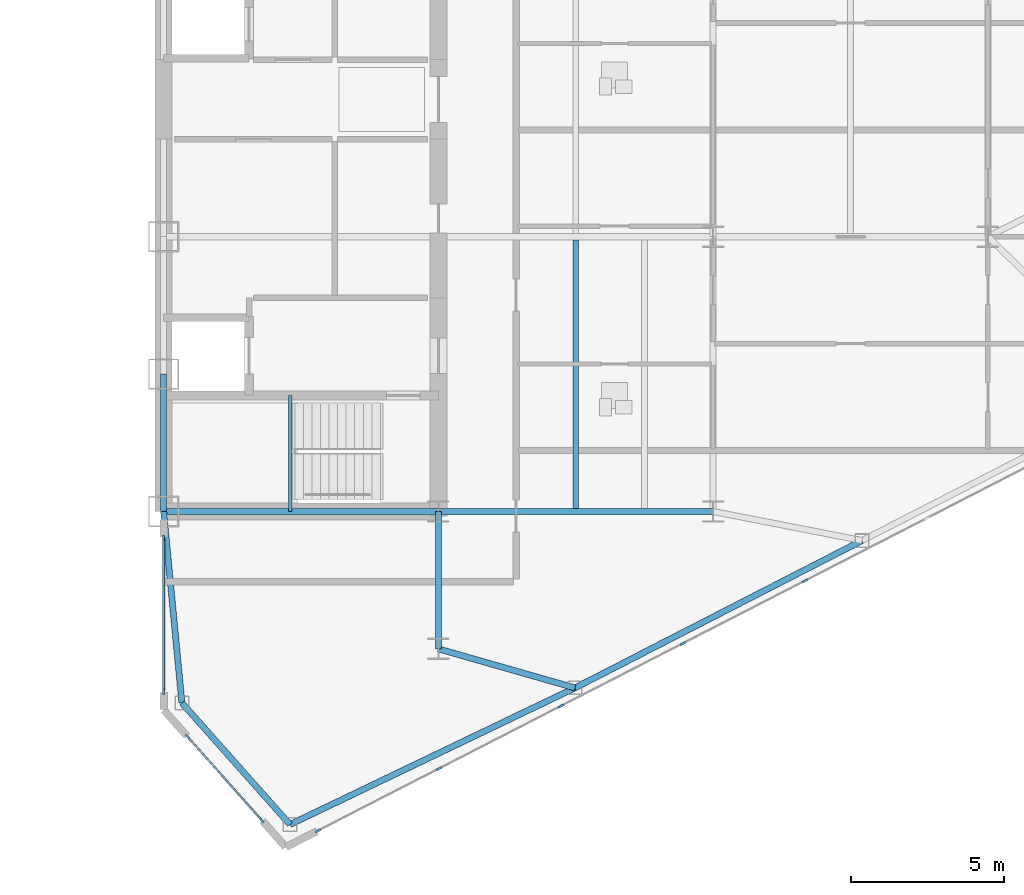
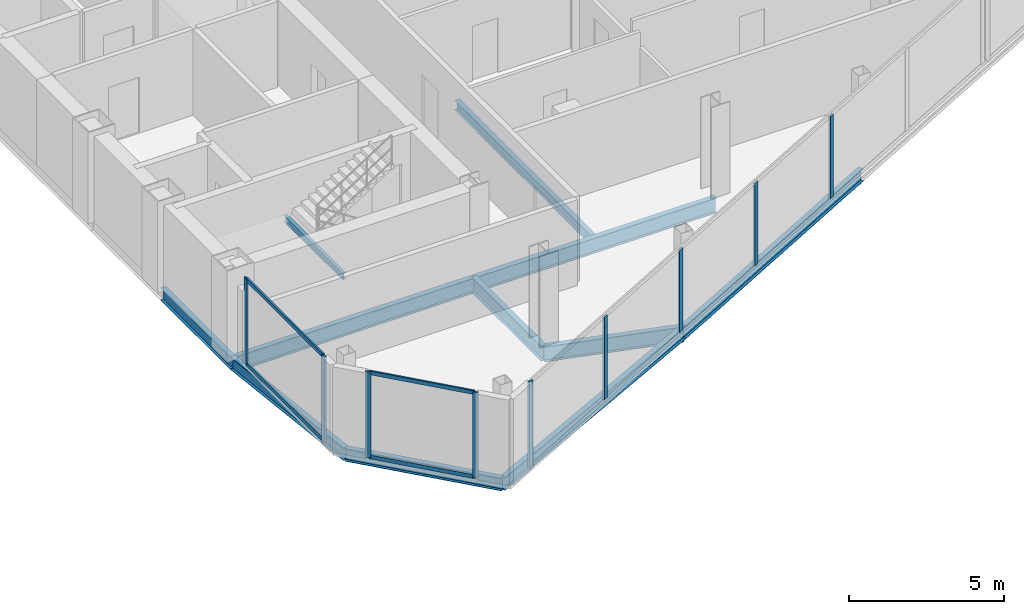
# One storey, part 8 of 23: 13 members, 11 beams, 3 elements without a shape of their own.
"""IFC4 building model written with IfcOpenShell, lengths in metres."""

from ifc_helpers import new_model, si_unit, direction, frame, origin, origin_2d, place, context, subcontext, project, spatial, rectangle, i_section, extrude, source, transform, mapped, material, layer, layer_set, material_profile, profile_set, type_object, type_shapes, element, aggregate, save


model = new_model("IFC4")

# Units and contexts
model_context = context("Model", 3, precision=1e-05, world=origin(), true_north=direction((0.0, 1.0)))
body_context = subcontext(model_context, "Body", "Model", "MODEL_VIEW")
ifc_project = project(units=[si_unit("LENGTHUNIT", "METRE"), si_unit("AREAUNIT", "SQUARE_METRE"), si_unit("VOLUMEUNIT", "CUBIC_METRE"), si_unit("PLANEANGLEUNIT", "RADIAN"), si_unit("MASSUNIT", "GRAM", prefix="KILO")], contexts=[model_context])

# Site, building, storey
site_placement = place(None, origin())
site = spatial("IfcSite", under=ifc_project, at=site_placement, CompositionType="ELEMENT")
building_placement = place(site_placement, origin())
building = spatial("IfcBuilding", under=site, at=building_placement, Name="Seokmaru Belvedere", CompositionType="ELEMENT")
storey_placement = place(building_placement, frame((0.0, 0.0, 144.0)))
storey = spatial("IfcBuildingStorey", under=building, at=storey_placement, Name="L38", CompositionType="ELEMENT", Elevation=144.0)

# Beams
ifc_material_1 = material(Name="Steel SM355 (355 MPa)", Category="steel")
ifc_material_profile_1 = material_profile(ifc_material_1, i_section(OverallWidth=0.199951171875, OverallDepth=0.5, WebThickness=0.010009765625, FlangeThickness=0.01611328125, at=origin_2d()), Name="H-500x200x10x16")
ifc_profile_set_1 = profile_set([ifc_material_profile_1], Name="Steel SM355 (355 MPa)")
beam_type_1 = type_object("IfcBeamType", Name="Perimeter Spandrel Beam H-500", PredefinedType="SPANDREL", material=ifc_profile_set_1)
shared_shape_1 = source(origin(), body_context, "Body", "SweptSolid", [
    extrude(i_section(OverallWidth=0.199951171875, OverallDepth=0.5, WebThickness=0.010009765625, FlangeThickness=0.01611328125, at=origin_2d()), origin(), (0.0, 0.0, 1.0), 4.5),
])
beam_1_placement = place(storey_placement, frame((27.5, -13.5, -0.469970703125), z_axis=(0.0, 1.0, 0.0), x_axis=(-1.0, 0.0, 0.0)))
element("IfcBeam", 1, at=beam_1_placement, inside=storey, type_object=beam_type_1, Name="L38 E Portal Spine Spandrel 1", PredefinedType="SPANDREL", context=body_context, shape_type="MappedRepresentation", body=[
    mapped(shared_shape_1, transform((0.0, 0.0, 0.0), scale=1.0)),
])
ifc_material_profile_2 = material_profile(ifc_material_1, i_section(OverallWidth=0.199951171875, OverallDepth=0.60009765625, WebThickness=0.010986328125, FlangeThickness=0.01708984375, at=origin_2d()), Name="H-600x200x11x17")
ifc_profile_set_2 = profile_set([ifc_material_profile_2], Name="Steel SM355 (355 MPa)")
beam_type_2 = type_object("IfcBeamType", Name="Primary Floor Girder H-600", PredefinedType="BEAM", material=ifc_profile_set_2)
shared_shape_2 = source(origin(), body_context, "Body", "SweptSolid", [
    extrude(i_section(OverallWidth=0.199951171875, OverallDepth=0.60009765625, WebThickness=0.010986328125, FlangeThickness=0.01708984375, at=origin_2d()), origin(), (0.0, 0.0, 1.0), 9.0),
])
for number, where, z_axis, x_axis, name in (
    (2, (27.5, -13.5, -0.52001953125), (1.0, 0.0, 0.0), (0.0, 1.0, 0.0), "L38 E Core Tie Girder 1"),
    (3, (36.5, -13.5, -0.52001953125), (1.0, 0.0, 0.0), (0.0, 1.0, 0.0), "L38 E Wing Primary Girder 1"),
):
    element("IfcBeam", number, at=place(storey_placement, frame(where, z_axis=z_axis, x_axis=x_axis)), inside=storey, type_object=beam_type_2, Name=name, PredefinedType="BEAM", context=body_context, shape_type="MappedRepresentation", body=[
        mapped(shared_shape_2, transform((0.0, 0.0, 0.0), scale=1.0)),
    ])
ifc_material_profile_3 = material_profile(ifc_material_1, i_section(OverallWidth=0.18505859375, OverallDepth=0.389892578125, WebThickness=0.008056640625, FlangeThickness=0.011962890625, at=origin_2d()), Name="H-390x185x8x12")
ifc_profile_set_3 = profile_set([ifc_material_profile_3], Name="Steel SM355 (355 MPa)")
beam_type_3 = type_object("IfcBeamType", Name="Secondary Floor Joist H-350", PredefinedType="JOIST", material=ifc_profile_set_3)
shared_shape_3 = source(origin(), body_context, "Body", "SweptSolid", [
    extrude(i_section(OverallWidth=0.18505859375, OverallDepth=0.389892578125, WebThickness=0.008056640625, FlangeThickness=0.011962890625, at=origin_2d()), origin(), (0.0, 0.0, 1.0), 8.7900390625),
])
type_shapes(beam_type_3, [shared_shape_3])
beam_2_placement = place(storey_placement, frame((41.0, -13.39501953125, -0.4150390625), z_axis=(0.0, 1.0, 0.0), x_axis=(-1.0, 0.0, 0.0)))
element("IfcBeam", 4, at=beam_2_placement, inside=storey, type_object=beam_type_3, Name="L38 E Secondary Floor Joist 1", PredefinedType="JOIST", context=body_context, shape_type="MappedRepresentation", body=[
    mapped(shared_shape_3, transform((0.0, 0.0, 0.0), scale=1.0)),
])
shared_shape_4 = source(origin(), body_context, "Body", "SweptSolid", [
    extrude(i_section(OverallWidth=0.199951171875, OverallDepth=0.60009765625, WebThickness=0.010986328125, FlangeThickness=0.01708984375, at=origin_2d()), origin(), (0.0, 0.0, 1.0), 4.5),
])
beam_3_placement = place(storey_placement, frame((36.5, -18.0, -0.52001953125), z_axis=(0.0, 1.0, 0.0), x_axis=(-1.0, 0.0, 0.0)))
element("IfcBeam", 5, at=beam_3_placement, inside=storey, type_object=beam_type_2, Name="L38 E Core Shoulder Girder S", PredefinedType="BEAM", context=body_context, shape_type="MappedRepresentation", body=[
    mapped(shared_shape_4, transform((0.0, 0.0, 0.0), scale=1.0)),
])
shared_shape_5 = source(origin(), body_context, "Body", "SweptSolid", [
    extrude(i_section(OverallWidth=0.199951171875, OverallDepth=0.5, WebThickness=0.010009765625, FlangeThickness=0.01611328125, at=origin_2d()), origin(), (0.0, 0.0, 1.0), 10.353759765625),
])
beam_4_placement = place(storey_placement, frame((31.6396484375, -23.75390625, -0.469970703125), z_axis=(0.901713202822, 0.432334708134, 0.0), x_axis=(-0.432334708134, 0.901713202822, 0.0)))
element("IfcBeam", 6, at=beam_4_placement, inside=storey, type_object=beam_type_1, Name="L38 E Faceted Flank Spandrel S-1", PredefinedType="SPANDREL", context=body_context, shape_type="MappedRepresentation", body=[
    mapped(shared_shape_5, transform((0.0, 0.0, 0.0), scale=1.0)),
])
shared_shape_6 = source(origin(), body_context, "Body", "SweptSolid", [
    extrude(i_section(OverallWidth=0.199951171875, OverallDepth=0.5, WebThickness=0.010009765625, FlangeThickness=0.01611328125, at=origin_2d()), origin(), (0.0, 0.0, 1.0), 10.56689453125),
])
beam_5_placement = place(storey_placement, frame((40.975830078125, -19.277587890625, -0.469970703125), z_axis=(0.889701972758, 0.45654178305, 0.0), x_axis=(-0.45654178305, 0.889701972758, 0.0)))
element("IfcBeam", 7, at=beam_5_placement, inside=storey, type_object=beam_type_1, Name="L38 E Faceted Flank Spandrel S-2", PredefinedType="SPANDREL", context=body_context, shape_type="MappedRepresentation", body=[
    mapped(shared_shape_6, transform((0.0, 0.0, 0.0), scale=1.0)),
])
shared_shape_7 = source(origin(), body_context, "Body", "SweptSolid", [
    extrude(i_section(OverallWidth=0.199951171875, OverallDepth=0.5, WebThickness=0.010009765625, FlangeThickness=0.01611328125, at=origin_2d()), origin(), (0.0, 0.0, 1.0), 5.32763671875),
])
beam_6_placement = place(storey_placement, frame((31.6396484375, -23.75390625, -0.469970703125), z_axis=(-0.66436952742, 0.74740426212, 0.0), x_axis=(-0.74740426212, -0.66436952742, 0.0)))
element("IfcBeam", 8, at=beam_6_placement, inside=storey, type_object=beam_type_1, Name="L38 E Shoulder Chamfer Spandrel S", PredefinedType="SPANDREL", context=body_context, shape_type="MappedRepresentation", body=[
    mapped(shared_shape_7, transform((0.0, 0.0, 0.0), scale=1.0)),
])
shared_shape_8 = source(origin(), body_context, "Body", "SweptSolid", [
    extrude(i_section(OverallWidth=0.199951171875, OverallDepth=0.5, WebThickness=0.010009765625, FlangeThickness=0.01611328125, at=origin_2d()), origin(), (0.0, 0.0, 1.0), 6.300537109375),
])
type_shapes(beam_type_1, [shared_shape_1, shared_shape_5, shared_shape_6, shared_shape_7, shared_shape_8])
beam_7_placement = place(storey_placement, frame((28.10009765625, -19.77197265625, -0.469970703125), z_axis=(-0.095244287992, 0.995453929424, 0.0), x_axis=(-0.995453929424, -0.095244287992, 0.0)))
element("IfcBeam", 9, at=beam_7_placement, inside=storey, type_object=beam_type_1, Name="L38 E Shoulder Spine Spandrel S", PredefinedType="SPANDREL", context=body_context, shape_type="MappedRepresentation", body=[
    mapped(shared_shape_8, transform((0.0, 0.0, 0.0), scale=1.0)),
])
shared_shape_9 = source(origin(), body_context, "Body", "SweptSolid", [
    extrude(i_section(OverallWidth=0.199951171875, OverallDepth=0.60009765625, WebThickness=0.010986328125, FlangeThickness=0.01708984375, at=origin_2d()), origin(), (0.0, 0.0, 1.0), 4.654541015625),
])
type_shapes(beam_type_2, [shared_shape_2, shared_shape_4, shared_shape_9])
beam_8_placement = place(storey_placement, frame((40.975830078125, -19.277587890625, -0.52001953125), z_axis=(-0.961593192625, 0.274478654721, 0.0), x_axis=(-0.274478654721, -0.961593192625, 0.0)))
element("IfcBeam", 10, at=beam_8_placement, inside=storey, type_object=beam_type_2, Name="L38 E Flank Radial Floor Girder S-1", PredefinedType="BEAM", context=body_context, shape_type="MappedRepresentation", body=[
    mapped(shared_shape_9, transform((0.0, 0.0, 0.0), scale=1.0)),
])

# Curtain wall, member
ifc_material_2 = material(Name="Bronze Triple Insulating Glass", Category="glass")
ifc_layer = layer(ifc_material_2, 0.195068359375)
ifc_layer_set = layer_set([ifc_layer], Name="Bronze Triple Insulating Glass")
curtain_wall_type = type_object("IfcCurtainWallType", Name="Sky-Lobby and Mid-Rise Curtain Wall System CW-4", PredefinedType="NOTDEFINED", material=ifc_layer_set)
curtain_wall_1_placement = place(storey_placement, origin())
curtain_wall_1 = element("IfcCurtainWall", 11, at=curtain_wall_1_placement, inside=storey, type_object=curtain_wall_type, Name="L38 Curtain Wall EF1", PredefinedType="NOTDEFINED")
ifc_material_3 = material(Name="Anodised Bronze Aluminium", Category="aluminium")
ifc_material_profile_4 = material_profile(ifc_material_3, rectangle(XDim=0.070068359375, YDim=0.195068359375, at=origin_2d()), Name="CW-M-70x195")
ifc_profile_set_4 = profile_set([ifc_material_profile_4], Name="Anodised Bronze Aluminium")
member_type_1 = type_object("IfcMemberType", Name="Bronze Unitised Mullion 70x195", PredefinedType="MULLION", material=ifc_profile_set_4)
shared_shape_10 = source(origin(), body_context, "Body", "SweptSolid", [
    extrude(rectangle(XDim=0.070068359375, YDim=0.195068359375, at=origin_2d()), origin(), (0.0, 0.0, 1.0), 3.3798828125),
])
member_1_placement = place(storey_placement, frame((32.55419921875, -23.958984375, 0.0), z_axis=(0.0, 0.0, 1.0), x_axis=(-0.456554528263, 0.889695432562, 0.0)))
member_1 = element("IfcMember", 12, at=member_1_placement, type_object=member_type_1, Name="CW:L38:EF1 Mullion 1", PredefinedType="MULLION", context=body_context, shape_type="MappedRepresentation", body=[
    mapped(shared_shape_10, transform((0.0, 0.0, 0.0), scale=1.0)),
])

# Curtain wall, members
curtain_wall_2_placement = place(storey_placement, origin())
curtain_wall_2 = element("IfcCurtainWall", 13, at=curtain_wall_2_placement, inside=storey, type_object=curtain_wall_type, Name="L38 Curtain Wall ESP_1", PredefinedType="NOTDEFINED")
member_2_placement = place(storey_placement, frame((27.5, -14.364990234375, 0.0), z_axis=(0.0, 0.0, 1.0), x_axis=(1.0, 0.0, 0.0)))
member_2 = element("IfcMember", 14, at=member_2_placement, type_object=member_type_1, Name="CW:L38:ESP_1 Mullion 1", PredefinedType="MULLION", context=body_context, shape_type="MappedRepresentation", body=[
    mapped(shared_shape_10, transform((0.0, 0.0, 0.0), scale=1.0)),
])
member_3_placement = place(storey_placement, frame((27.5, -19.39501953125, 0.0), z_axis=(0.0, 0.0, 1.0), x_axis=(1.0, 0.0, 0.0)))
member_3 = element("IfcMember", 15, at=member_3_placement, type_object=member_type_1, Name="CW:L38:ESP_1 Mullion 2", PredefinedType="MULLION", context=body_context, shape_type="MappedRepresentation", body=[
    mapped(shared_shape_10, transform((0.0, 0.0, 0.0), scale=1.0)),
])

curtain_wall_3_placement = place(storey_placement, origin())
curtain_wall_3 = element("IfcCurtainWall", 16, at=curtain_wall_3_placement, inside=storey, type_object=curtain_wall_type, Name="L38 Curtain Wall EF6", PredefinedType="NOTDEFINED")
member_4_placement = place(storey_placement, frame((28.287353515625, -20.8857421875, 0.0), z_axis=(0.0, 0.0, 1.0), x_axis=(0.747409774804, 0.664363325694, 0.0)))
member_4 = element("IfcMember", 17, at=member_4_placement, type_object=member_type_1, Name="CW:L38:EF6 Mullion 1", PredefinedType="MULLION", context=body_context, shape_type="MappedRepresentation", body=[
    mapped(shared_shape_10, transform((0.0, 0.0, 0.0), scale=1.0)),
])
member_5_placement = place(storey_placement, frame((30.712646484375, -23.6142578125, 0.0), z_axis=(0.0, 0.0, 1.0), x_axis=(0.747409774804, 0.664363325694, 0.0)))
member_5 = element("IfcMember", 18, at=member_5_placement, type_object=member_type_1, Name="CW:L38:EF6 Mullion 2", PredefinedType="MULLION", context=body_context, shape_type="MappedRepresentation", body=[
    mapped(shared_shape_10, transform((0.0, 0.0, 0.0), scale=1.0)),
])
ifc_material_profile_5 = material_profile(ifc_material_3, rectangle(XDim=0.06494140625, YDim=0.14990234375, at=origin_2d()), Name="CW-T-65x150")
ifc_profile_set_5 = profile_set([ifc_material_profile_5], Name="Anodised Bronze Aluminium")
member_type_2 = type_object("IfcMemberType", Name="Bronze Unitised Transom 65x150", PredefinedType="USERDEFINED", material=ifc_profile_set_5)
shared_shape_11 = source(origin(), body_context, "Body", "SweptSolid", [
    extrude(rectangle(XDim=0.06494140625, YDim=0.14990234375, at=origin_2d()), origin(), (0.0, 0.0, 1.0), 3.580810546875),
])
member_6_placement = place(storey_placement, frame((28.310546875, -20.911865234375, 0.032470703125), z_axis=(0.66436383883, -0.747409318684, 0.0), x_axis=(0.747409318684, 0.66436383883, 0.0)))
member_6 = element("IfcMember", 19, at=member_6_placement, type_object=member_type_2, Name="CW:L38:EF6 Continuous Transom 1", ObjectType="TRANSOM", PredefinedType="USERDEFINED", context=body_context, shape_type="MappedRepresentation", body=[
    mapped(shared_shape_11, transform((0.0, 0.0, 0.0), scale=1.0)),
])
member_7_placement = place(storey_placement, frame((28.310546875, -20.911865234375, 3.347412109375), z_axis=(0.66436383883, -0.747409318684, 0.0), x_axis=(0.747409318684, 0.66436383883, 0.0)))
member_7 = element("IfcMember", 20, at=member_7_placement, type_object=member_type_2, Name="CW:L38:EF6 Continuous Transom 2", ObjectType="TRANSOM", PredefinedType="USERDEFINED", context=body_context, shape_type="MappedRepresentation", body=[
    mapped(shared_shape_11, transform((0.0, 0.0, 0.0), scale=1.0)),
])
aggregate(curtain_wall_3, [member_4, member_5, member_6, member_7])

# Member
shared_shape_12 = source(origin(), body_context, "Body", "SweptSolid", [
    extrude(rectangle(XDim=0.070068359375, YDim=0.195068359375, at=origin_2d()), origin(), (0.0, 0.0, 1.0), 3.25),
])
type_shapes(member_type_1, [shared_shape_10, shared_shape_12])
member_8_placement = place(storey_placement, frame((36.51806640625, -21.925048828125, 0.06494140625), z_axis=(0.0, 0.0, 1.0), x_axis=(-0.456554528263, 0.889695432562, 0.0)))
member_8 = element("IfcMember", 21, at=member_8_placement, type_object=member_type_1, Name="CW:L38:EF1 Mullion 2", PredefinedType="MULLION", context=body_context, shape_type="MappedRepresentation", body=[
    mapped(shared_shape_12, transform((0.0, 0.0, 0.0), scale=1.0)),
])

member_9_placement = place(storey_placement, frame((40.5126953125, -19.875, 0.06494140625), z_axis=(0.0, 0.0, 1.0), x_axis=(-0.456554528263, 0.889695432562, 0.0)))
member_9 = element("IfcMember", 22, at=member_9_placement, type_object=member_type_1, Name="CW:L38:EF1 Mullion 3", PredefinedType="MULLION", context=body_context, shape_type="MappedRepresentation", body=[
    mapped(shared_shape_12, transform((0.0, 0.0, 0.0), scale=1.0)),
])

member_10_placement = place(storey_placement, frame((44.5078125, -17.824951171875, 0.06494140625), z_axis=(0.0, 0.0, 1.0), x_axis=(-0.456554528263, 0.889695432562, 0.0)))
member_10 = element("IfcMember", 23, at=member_10_placement, type_object=member_type_1, Name="CW:L38:EF1 Mullion 4", PredefinedType="MULLION", context=body_context, shape_type="MappedRepresentation", body=[
    mapped(shared_shape_12, transform((0.0, 0.0, 0.0), scale=1.0)),
])

member_11_placement = place(storey_placement, frame((48.502685546875, -15.77490234375, 0.06494140625), z_axis=(0.0, 0.0, 1.0), x_axis=(-0.456554528263, 0.889695432562, 0.0)))
member_11 = element("IfcMember", 24, at=member_11_placement, type_object=member_type_1, Name="CW:L38:EF1 Mullion 5", PredefinedType="MULLION", context=body_context, shape_type="MappedRepresentation", body=[
    mapped(shared_shape_12, transform((0.0, 0.0, 0.0), scale=1.0)),
])

aggregate(curtain_wall_1, [member_1, member_8, member_9, member_10, member_11])

shared_shape_13 = source(origin(), body_context, "Body", "SweptSolid", [
    extrude(rectangle(XDim=0.06494140625, YDim=0.14990234375, at=origin_2d()), origin(), (0.0, 0.0, 1.0), 4.960205078125),
])
type_shapes(member_type_2, [shared_shape_11, shared_shape_13])
member_12_placement = place(storey_placement, frame((27.5, -14.39990234375, 0.032470703125), z_axis=(0.0, -1.0, 0.0), x_axis=(1.0, 0.0, 0.0)))
member_12 = element("IfcMember", 25, at=member_12_placement, type_object=member_type_2, Name="CW:L38:ESP_1 Continuous Transom 1", ObjectType="TRANSOM", PredefinedType="USERDEFINED", context=body_context, shape_type="MappedRepresentation", body=[
    mapped(shared_shape_13, transform((0.0, 0.0, 0.0), scale=1.0)),
])

member_13_placement = place(storey_placement, frame((27.5, -14.39990234375, 3.347412109375), z_axis=(0.0, -1.0, 0.0), x_axis=(1.0, 0.0, 0.0)))
member_13 = element("IfcMember", 26, at=member_13_placement, type_object=member_type_2, Name="CW:L38:ESP_1 Continuous Transom 2", ObjectType="TRANSOM", PredefinedType="USERDEFINED", context=body_context, shape_type="MappedRepresentation", body=[
    mapped(shared_shape_13, transform((0.0, 0.0, 0.0), scale=1.0)),
])

aggregate(curtain_wall_2, [member_2, member_3, member_12, member_13])

# Beam
ifc_material_profile_6 = material_profile(ifc_material_1, i_section(OverallWidth=0.125, OverallDepth=0.25, WebThickness=0.006103515625, FlangeThickness=0.009033203125, at=origin_2d()), Name="H-250x125x6x9")
ifc_profile_set_6 = profile_set([ifc_material_profile_6], Name="Steel SM355 (355 MPa)")
beam_type_4 = type_object("IfcBeamType", Name="Stair Mid-Landing Support Beam H-250", PredefinedType="JOIST", material=ifc_profile_set_6)
shared_shape_14 = source(origin(), body_context, "Body", "SweptSolid", [
    extrude(i_section(OverallWidth=0.125, OverallDepth=0.25, WebThickness=0.006103515625, FlangeThickness=0.009033203125, at=origin_2d()), origin(), (0.0, 0.0, 1.0), 3.800048828125),
])
type_shapes(beam_type_4, [shared_shape_14])
beam_9_placement = place(storey_placement, frame((31.64990234375, -13.5, 1.47509765625), z_axis=(0.0, 1.0, 0.0), x_axis=(-1.0, 0.0, 0.0)))
element("IfcBeam", 27, at=beam_9_placement, inside=storey, type_object=beam_type_4, Name="L38 Stair ST-E1 Mid-Landing Support Beam 1", PredefinedType="JOIST", context=body_context, shape_type="MappedRepresentation", body=[
    mapped(shared_shape_14, transform((0.0, 0.0, 0.0), scale=1.0)),
])

save(model, "model.ifc")
